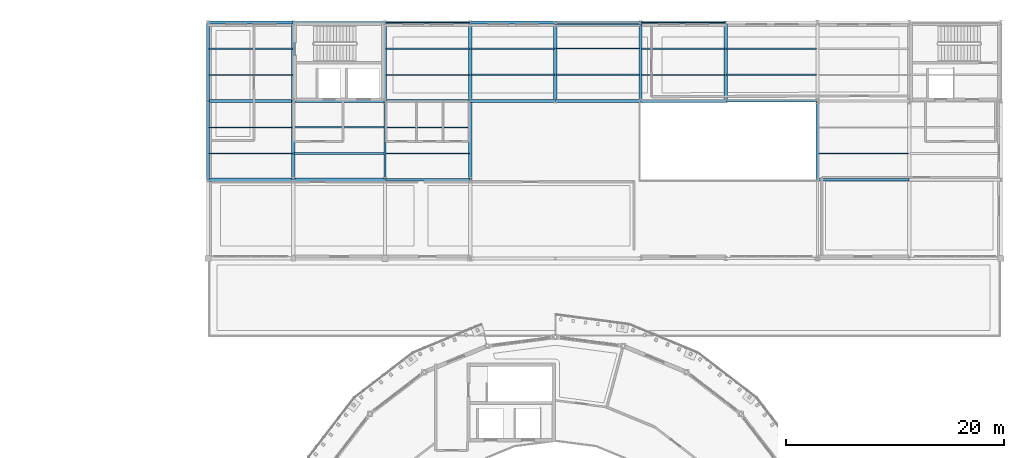
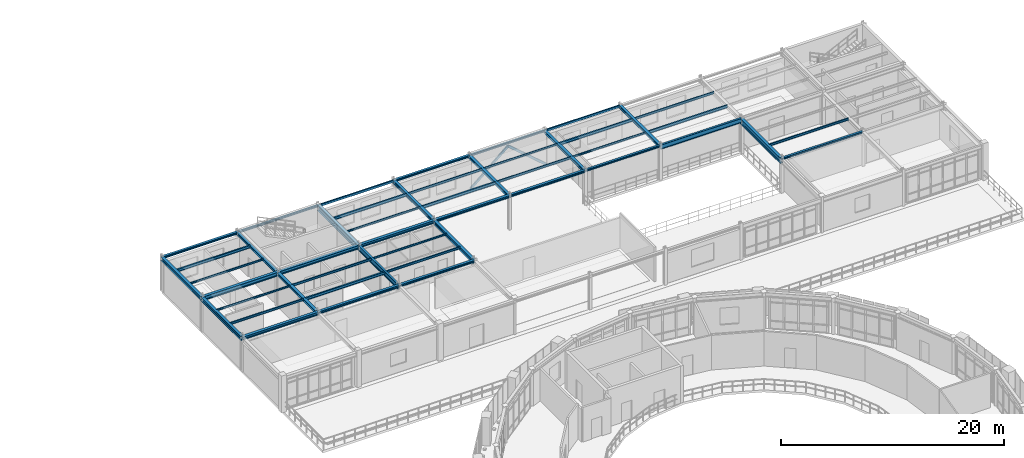
# One storey, part 31 of 58: 48 beams, 2 members.
"""IFC4 building model written with IfcOpenShell, lengths in metres."""

from ifc_helpers import new_model, si_unit, derived_unit, direction, frame, origin, origin_2d, place, context, subcontext, project, spatial, hollow_rectangle, i_section, extrude, material, material_profile, profile_set, type_object, element, save


model = new_model("IFC4")

# Units and contexts
model_context = context("Model", 3, precision=1e-05, world=origin(), true_north=direction((0.0, 1.0)))
body_context = subcontext(model_context, "Body", "Model", "MODEL_VIEW")
ifc_project = project(units=[si_unit("LENGTHUNIT", "METRE"), si_unit("AREAUNIT", "SQUARE_METRE"), si_unit("VOLUMEUNIT", "CUBIC_METRE"), si_unit("PLANEANGLEUNIT", "RADIAN"), si_unit("MASSUNIT", "GRAM", prefix="KILO"), derived_unit("THERMALTRANSMITTANCEUNIT", [(si_unit("POWERUNIT", "WATT"), 1), (si_unit("AREAUNIT", "SQUARE_METRE"), -1), (si_unit("THERMODYNAMICTEMPERATUREUNIT", "KELVIN"), -1)])], contexts=[model_context])

# Site, building, storey
site_placement = place(None, origin())
site = spatial("IfcSite", under=ifc_project, at=site_placement, CompositionType="ELEMENT")
building_placement = place(site_placement, origin())
building = spatial("IfcBuilding", under=site, at=building_placement, Name="Yasenodar Specialist Clinic", CompositionType="ELEMENT")
storey_placement = place(building_placement, frame((0.0, 0.0, 17.25)))
storey = spatial("IfcBuildingStorey", under=building, at=storey_placement, Name="L04", CompositionType="ELEMENT", Elevation=17.25)

# Beams
ifc_material = material(Name="Steel S355", Category="steel")
ifc_material_profile_1 = material_profile(ifc_material, i_section(OverallWidth=0.219970703125, OverallDepth=0.2099609375, WebThickness=0.007080078125, FlangeThickness=0.010986328125, FilletRadius=0.01806640625, at=origin_2d()), Name="HEA 220")
ifc_profile_set_1 = profile_set([ifc_material_profile_1], Name="Steel S355")
beam_type_1 = type_object("IfcBeamType", Name="BM-HEA220", PredefinedType="BEAM", material=ifc_profile_set_1)
beam_1_placement = place(storey_placement, frame((105.0, 97.199951171875, 3.68505859375), z_axis=(1.0, 0.0, 0.0), x_axis=(0.0, 1.0, 0.0)))
element("IfcBeam", 1, at=beam_1_placement, inside=storey, type_object=beam_type_1, Name="L04 Primary E-W Girder", PredefinedType="BEAM", context=body_context, shape_type="SweptSolid", body=[
    extrude(i_section(OverallWidth=0.219970703125, OverallDepth=0.2099609375, WebThickness=0.007080078125, FlangeThickness=0.010986328125, FilletRadius=0.01806640625, at=origin_2d()), origin(), (0.0, 0.0, 1.0), 8.39990234375),
])
beam_2_placement = place(storey_placement, frame((88.800048828125, 104.39990234375, 3.695068359375), z_axis=(1.0, 0.0, 0.0), x_axis=(0.0, 1.0, 0.0)))
element("IfcBeam", 2, at=beam_2_placement, inside=storey, type_object=beam_type_1, Name="L04 Primary E-W Girder", PredefinedType="BEAM", context=body_context, shape_type="SweptSolid", body=[
    extrude(i_section(OverallWidth=0.219970703125, OverallDepth=0.2099609375, WebThickness=0.007080078125, FlangeThickness=0.010986328125, FilletRadius=0.01806640625, at=origin_2d()), origin(), (0.0, 0.0, 1.0), 7.800048828125),
])
ifc_material_profile_2 = material_profile(ifc_material, i_section(OverallWidth=0.260009765625, OverallDepth=0.25, WebThickness=0.007568359375, FlangeThickness=0.012451171875, FilletRadius=0.02392578125, at=origin_2d()), Name="HEA 260")
ifc_profile_set_2 = profile_set([ifc_material_profile_2], Name="Steel S355")
beam_type_2 = type_object("IfcBeamType", Name="BM-HEA260", PredefinedType="BEAM", material=ifc_profile_set_2)
for number, where, z_axis, x_axis, name in (
    (3, (65.39990234375, 97.199951171875, 3.6650390625), (1.0, 0.0, 0.0), (0.0, 1.0, 0.0), "L04 Primary E-W Girder"),
    (4, (81.0, 104.39990234375, 3.675048828125), (1.0, 0.0, 0.0), (0.0, 1.0, 0.0), "L04 Primary E-W Girder"),
):
    element("IfcBeam", number, at=place(storey_placement, frame(where, z_axis=z_axis, x_axis=x_axis)), inside=storey, type_object=beam_type_2, Name=name, PredefinedType="BEAM", context=body_context, shape_type="SweptSolid", body=[
        extrude(i_section(OverallWidth=0.260009765625, OverallDepth=0.25, WebThickness=0.007568359375, FlangeThickness=0.012451171875, FilletRadius=0.02392578125, at=origin_2d()), origin(), (0.0, 0.0, 1.0), 7.800048828125),
    ])
ifc_material_profile_3 = material_profile(ifc_material, i_section(OverallWidth=0.280029296875, OverallDepth=0.27001953125, WebThickness=0.008056640625, FlangeThickness=0.012939453125, FilletRadius=0.02392578125, at=origin_2d()), Name="HEA 280")
ifc_profile_set_3 = profile_set([ifc_material_profile_3], Name="Steel S355")
beam_type_3 = type_object("IfcBeamType", Name="BM-HEA280", PredefinedType="BEAM", material=ifc_profile_set_3)
beam_3_placement = place(storey_placement, frame((57.0, 97.199951171875, 3.655029296875), z_axis=(1.0, 0.0, 0.0), x_axis=(0.0, 1.0, 0.0)))
element("IfcBeam", 5, at=beam_3_placement, inside=storey, type_object=beam_type_3, Name="L04 Primary E-W Girder", PredefinedType="BEAM", context=body_context, shape_type="SweptSolid", body=[
    extrude(i_section(OverallWidth=0.280029296875, OverallDepth=0.27001953125, WebThickness=0.008056640625, FlangeThickness=0.012939453125, FilletRadius=0.02392578125, at=origin_2d()), origin(), (0.0, 0.0, 1.0), 8.39990234375),
])
beam_4_placement = place(storey_placement, frame((73.199951171875, 104.39990234375, 3.6650390625), z_axis=(1.0, 0.0, 0.0), x_axis=(0.0, 1.0, 0.0)))
element("IfcBeam", 6, at=beam_4_placement, inside=storey, type_object=beam_type_3, Name="L04 Primary E-W Girder", PredefinedType="BEAM", context=body_context, shape_type="SweptSolid", body=[
    extrude(i_section(OverallWidth=0.280029296875, OverallDepth=0.27001953125, WebThickness=0.008056640625, FlangeThickness=0.012939453125, FilletRadius=0.02392578125, at=origin_2d()), origin(), (0.0, 0.0, 1.0), 7.800048828125),
])
ifc_material_profile_4 = material_profile(ifc_material, i_section(OverallWidth=0.300048828125, OverallDepth=0.2900390625, WebThickness=0.008544921875, FlangeThickness=0.013916015625, FilletRadius=0.027099609375, at=origin_2d()), Name="HEA 300")
ifc_profile_set_4 = profile_set([ifc_material_profile_4], Name="Steel S355")
beam_type_4 = type_object("IfcBeamType", Name="BM-HEA300", PredefinedType="BEAM", material=ifc_profile_set_4)
beam_5_placement = place(storey_placement, frame((96.60009765625, 104.39990234375, 3.655029296875), z_axis=(0.0, 1.0, 0.0), x_axis=(-1.0, 0.0, 0.0)))
element("IfcBeam", 7, at=beam_5_placement, inside=storey, type_object=beam_type_4, Name="L04 Primary N-S Girder", PredefinedType="BEAM", context=body_context, shape_type="SweptSolid", body=[
    extrude(i_section(OverallWidth=0.300048828125, OverallDepth=0.2900390625, WebThickness=0.008544921875, FlangeThickness=0.013916015625, FilletRadius=0.027099609375, at=origin_2d()), origin(), (0.0, 0.0, 1.0), 7.2001953125),
])
ifc_material_profile_5 = material_profile(ifc_material, i_section(OverallWidth=0.300048828125, OverallDepth=0.330078125, WebThickness=0.009521484375, FlangeThickness=0.0166015625, FilletRadius=0.027099609375, at=origin_2d()), Name="HEA 340")
ifc_profile_set_5 = profile_set([ifc_material_profile_5], Name="Steel S355")
beam_type_5 = type_object("IfcBeamType", Name="BM-HEA340", PredefinedType="BEAM", material=ifc_profile_set_5)
for number, where, z_axis, x_axis, name in (
    (8, (49.199951171875, 97.199951171875, 3.625), (1.0, 0.0, 0.0), (0.0, 1.0, 0.0), "L04 Primary E-W Girder"),
    (9, (65.39990234375, 104.39990234375, 3.635009765625), (1.0, 0.0, 0.0), (0.0, 1.0, 0.0), "L04 Primary E-W Girder"),
):
    element("IfcBeam", number, at=place(storey_placement, frame(where, z_axis=z_axis, x_axis=x_axis)), inside=storey, type_object=beam_type_5, Name=name, PredefinedType="BEAM", context=body_context, shape_type="SweptSolid", body=[
        extrude(i_section(OverallWidth=0.300048828125, OverallDepth=0.330078125, WebThickness=0.009521484375, FlangeThickness=0.0166015625, FilletRadius=0.027099609375, at=origin_2d()), origin(), (0.0, 0.0, 1.0), 7.800048828125),
    ])
ifc_material_profile_6 = material_profile(ifc_material, i_section(OverallWidth=0.300048828125, OverallDepth=0.389892578125, WebThickness=0.010986328125, FlangeThickness=0.01904296875, FilletRadius=0.027099609375, at=origin_2d()), Name="HEA 400")
ifc_profile_set_6 = profile_set([ifc_material_profile_6], Name="Steel S355")
beam_type_6 = type_object("IfcBeamType", Name="BM-HEA400", PredefinedType="BEAM", material=ifc_profile_set_6)
beam_6_placement = place(storey_placement, frame((57.0, 104.39990234375, 3.60498046875), z_axis=(1.0, 0.0, 0.0), x_axis=(0.0, 1.0, 0.0)))
element("IfcBeam", 10, at=beam_6_placement, inside=storey, type_object=beam_type_6, Name="L04 Primary E-W Girder", PredefinedType="BEAM", context=body_context, shape_type="SweptSolid", body=[
    extrude(i_section(OverallWidth=0.300048828125, OverallDepth=0.389892578125, WebThickness=0.010986328125, FlangeThickness=0.01904296875, FilletRadius=0.027099609375, at=origin_2d()), origin(), (0.0, 0.0, 1.0), 8.39990234375),
])
ifc_material_profile_7 = material_profile(ifc_material, i_section(OverallWidth=0.300048828125, OverallDepth=0.43994140625, WebThickness=0.011474609375, FlangeThickness=0.02099609375, FilletRadius=0.027099609375, at=origin_2d()), Name="HEA 450")
ifc_profile_set_7 = profile_set([ifc_material_profile_7], Name="Steel S355")
beam_type_7 = type_object("IfcBeamType", Name="BM-HEA450", PredefinedType="BEAM", material=ifc_profile_set_7)
beam_7_placement = place(storey_placement, frame((49.199951171875, 104.39990234375, 3.580078125), z_axis=(1.0, 0.0, 0.0), x_axis=(0.0, 1.0, 0.0)))
element("IfcBeam", 11, at=beam_7_placement, inside=storey, type_object=beam_type_7, Name="L04 Primary E-W Girder", PredefinedType="BEAM", context=body_context, shape_type="SweptSolid", body=[
    extrude(i_section(OverallWidth=0.300048828125, OverallDepth=0.43994140625, WebThickness=0.011474609375, FlangeThickness=0.02099609375, FilletRadius=0.027099609375, at=origin_2d()), origin(), (0.0, 0.0, 1.0), 7.800048828125),
])
ifc_material_profile_8 = material_profile(ifc_material, i_section(OverallWidth=0.280029296875, OverallDepth=0.280029296875, WebThickness=0.010498046875, FlangeThickness=0.01806640625, FilletRadius=0.02392578125, at=origin_2d()), Name="HEB 280")
ifc_profile_set_8 = profile_set([ifc_material_profile_8], Name="Steel S355")
beam_type_8 = type_object("IfcBeamType", Name="BM-HEB280", PredefinedType="BEAM", material=ifc_profile_set_8)
for number, where, z_axis, x_axis, name in (
    (12, (57.0, 104.39990234375, 3.659912109375), (0.0, 1.0, 0.0), (-1.0, 0.0, 0.0), "L04 Primary N-S Girder"),
    (13, (88.800048828125, 104.39990234375, 3.659912109375), (0.0, 1.0, 0.0), (-1.0, 0.0, 0.0), "L04 Primary N-S Girder"),
):
    element("IfcBeam", number, at=place(storey_placement, frame(where, z_axis=z_axis, x_axis=x_axis)), inside=storey, type_object=beam_type_8, Name=name, PredefinedType="BEAM", context=body_context, shape_type="SweptSolid", body=[
        extrude(i_section(OverallWidth=0.280029296875, OverallDepth=0.280029296875, WebThickness=0.010498046875, FlangeThickness=0.01806640625, FilletRadius=0.02392578125, at=origin_2d()), origin(), (0.0, 0.0, 1.0), 7.2001953125),
    ])
ifc_material_profile_9 = material_profile(ifc_material, i_section(OverallWidth=0.300048828125, OverallDepth=0.300048828125, WebThickness=0.010986328125, FlangeThickness=0.01904296875, FilletRadius=0.027099609375, at=origin_2d()), Name="HEB 300")
ifc_profile_set_9 = profile_set([ifc_material_profile_9], Name="Steel S355")
beam_type_9 = type_object("IfcBeamType", Name="BM-HEB300", PredefinedType="BEAM", material=ifc_profile_set_9)
beam_8_placement = place(storey_placement, frame((57.0, 97.199951171875, 3.639892578125), z_axis=(0.0, 1.0, 0.0), x_axis=(-1.0, 0.0, 0.0)))
element("IfcBeam", 14, at=beam_8_placement, inside=storey, type_object=beam_type_9, Name="L04 Primary N-S Girder", PredefinedType="BEAM", context=body_context, shape_type="SweptSolid", body=[
    extrude(i_section(OverallWidth=0.300048828125, OverallDepth=0.300048828125, WebThickness=0.010986328125, FlangeThickness=0.01904296875, FilletRadius=0.027099609375, at=origin_2d()), origin(), (0.0, 0.0, 1.0), 7.199951171875),
])
beam_9_placement = place(storey_placement, frame((81.0, 104.39990234375, 3.64990234375), z_axis=(0.0, 1.0, 0.0), x_axis=(-1.0, 0.0, 0.0)))
element("IfcBeam", 15, at=beam_9_placement, inside=storey, type_object=beam_type_9, Name="L04 Primary N-S Girder", PredefinedType="BEAM", context=body_context, shape_type="SweptSolid", body=[
    extrude(i_section(OverallWidth=0.300048828125, OverallDepth=0.300048828125, WebThickness=0.010986328125, FlangeThickness=0.01904296875, FilletRadius=0.027099609375, at=origin_2d()), origin(), (0.0, 0.0, 1.0), 7.2001953125),
])
ifc_material_profile_10 = material_profile(ifc_material, i_section(OverallWidth=0.300048828125, OverallDepth=0.340087890625, WebThickness=0.011962890625, FlangeThickness=0.021484375, FilletRadius=0.027099609375, at=origin_2d()), Name="HEB 340")
ifc_profile_set_10 = profile_set([ifc_material_profile_10], Name="Steel S355")
beam_type_10 = type_object("IfcBeamType", Name="BM-HEB340", PredefinedType="BEAM", material=ifc_profile_set_10)
beam_10_placement = place(storey_placement, frame((73.199951171875, 104.39990234375, 3.6298828125), z_axis=(0.0, 1.0, 0.0), x_axis=(-1.0, 0.0, 0.0)))
element("IfcBeam", 16, at=beam_10_placement, inside=storey, type_object=beam_type_10, Name="L04 Primary N-S Girder", PredefinedType="BEAM", context=body_context, shape_type="SweptSolid", body=[
    extrude(i_section(OverallWidth=0.300048828125, OverallDepth=0.340087890625, WebThickness=0.011962890625, FlangeThickness=0.021484375, FilletRadius=0.027099609375, at=origin_2d()), origin(), (0.0, 0.0, 1.0), 7.2001953125),
])
ifc_material_profile_11 = material_profile(ifc_material, i_section(OverallWidth=0.300048828125, OverallDepth=0.39990234375, WebThickness=0.013427734375, FlangeThickness=0.02392578125, FilletRadius=0.027099609375, at=origin_2d()), Name="HEB 400")
ifc_profile_set_11 = profile_set([ifc_material_profile_11], Name="Steel S355")
beam_type_11 = type_object("IfcBeamType", Name="BM-HEB400", PredefinedType="BEAM", material=ifc_profile_set_11)
beam_11_placement = place(storey_placement, frame((49.199951171875, 104.39990234375, 3.60009765625), z_axis=(0.0, 1.0, 0.0), x_axis=(-1.0, 0.0, 0.0)))
element("IfcBeam", 17, at=beam_11_placement, inside=storey, type_object=beam_type_11, Name="L04 Primary N-S Girder", PredefinedType="BEAM", context=body_context, shape_type="SweptSolid", body=[
    extrude(i_section(OverallWidth=0.300048828125, OverallDepth=0.39990234375, WebThickness=0.013427734375, FlangeThickness=0.02392578125, FilletRadius=0.027099609375, at=origin_2d()), origin(), (0.0, 0.0, 1.0), 7.2001953125),
])
beam_12_placement = place(storey_placement, frame((73.199951171875, 97.199951171875, 3.590087890625), z_axis=(0.0, 1.0, 0.0), x_axis=(-1.0, 0.0, 0.0)))
element("IfcBeam", 18, at=beam_12_placement, inside=storey, type_object=beam_type_11, Name="L04 Primary N-S Girder", PredefinedType="BEAM", context=body_context, shape_type="SweptSolid", body=[
    extrude(i_section(OverallWidth=0.300048828125, OverallDepth=0.39990234375, WebThickness=0.013427734375, FlangeThickness=0.02392578125, FilletRadius=0.027099609375, at=origin_2d()), origin(), (0.0, 0.0, 1.0), 7.199951171875),
])
ifc_material_profile_12 = material_profile(ifc_material, i_section(OverallWidth=0.300048828125, OverallDepth=0.449951171875, WebThickness=0.013916015625, FlangeThickness=0.02587890625, FilletRadius=0.027099609375, at=origin_2d()), Name="HEB 450")
ifc_profile_set_12 = profile_set([ifc_material_profile_12], Name="Steel S355")
beam_type_12 = type_object("IfcBeamType", Name="BM-HEB450", PredefinedType="BEAM", material=ifc_profile_set_12)
beam_13_placement = place(storey_placement, frame((49.199951171875, 97.199951171875, 3.56494140625), z_axis=(0.0, 1.0, 0.0), x_axis=(-1.0, 0.0, 0.0)))
element("IfcBeam", 19, at=beam_13_placement, inside=storey, type_object=beam_type_12, Name="L04 Primary N-S Girder", PredefinedType="BEAM", context=body_context, shape_type="SweptSolid", body=[
    extrude(i_section(OverallWidth=0.300048828125, OverallDepth=0.449951171875, WebThickness=0.013916015625, FlangeThickness=0.02587890625, FilletRadius=0.027099609375, at=origin_2d()), origin(), (0.0, 0.0, 1.0), 7.199951171875),
])
ifc_material_profile_13 = material_profile(ifc_material, i_section(OverallWidth=0.300048828125, OverallDepth=0.60009765625, WebThickness=0.015380859375, FlangeThickness=0.030029296875, FilletRadius=0.027099609375, at=origin_2d()), Name="HEB 600")
ifc_profile_set_13 = profile_set([ifc_material_profile_13], Name="Steel S355")
beam_type_13 = type_object("IfcBeamType", Name="BM-HEB600", PredefinedType="BEAM", material=ifc_profile_set_13)
beam_14_placement = place(storey_placement, frame((65.39990234375, 104.39990234375, 3.5), z_axis=(0.0, 1.0, 0.0), x_axis=(-1.0, 0.0, 0.0)))
element("IfcBeam", 20, at=beam_14_placement, inside=storey, type_object=beam_type_13, Name="L04 Primary N-S Girder", PredefinedType="BEAM", context=body_context, shape_type="SweptSolid", body=[
    extrude(i_section(OverallWidth=0.300048828125, OverallDepth=0.60009765625, WebThickness=0.015380859375, FlangeThickness=0.030029296875, FilletRadius=0.027099609375, at=origin_2d()), origin(), (0.0, 0.0, 1.0), 7.2001953125),
])
beam_15_placement = place(storey_placement, frame((105.0, 97.199951171875, 3.489990234375), z_axis=(0.0, 1.0, 0.0), x_axis=(-1.0, 0.0, 0.0)))
element("IfcBeam", 21, at=beam_15_placement, inside=storey, type_object=beam_type_13, Name="L04 Primary N-S Girder", PredefinedType="BEAM", context=body_context, shape_type="SweptSolid", body=[
    extrude(i_section(OverallWidth=0.300048828125, OverallDepth=0.60009765625, WebThickness=0.015380859375, FlangeThickness=0.030029296875, FilletRadius=0.027099609375, at=origin_2d()), origin(), (0.0, 0.0, 1.0), 7.199951171875),
])
ifc_material_profile_14 = material_profile(ifc_material, i_section(OverallWidth=0.199951171875, OverallDepth=0.5, WebThickness=0.01025390625, FlangeThickness=0.01611328125, FilletRadius=0.02099609375, at=origin_2d()), Name="IPE 500")
ifc_profile_set_14 = profile_set([ifc_material_profile_14], Name="Steel S355")
beam_type_14 = type_object("IfcBeamType", Name="BM-IPE500", PredefinedType="BEAM", material=ifc_profile_set_14)
beam_16_placement = place(storey_placement, frame((96.60009765625, 104.39990234375, 3.550048828125), z_axis=(1.0, 0.0, 0.0), x_axis=(0.0, 1.0, 0.0)))
element("IfcBeam", 22, at=beam_16_placement, inside=storey, type_object=beam_type_14, Name="L04 Primary E-W Girder", PredefinedType="BEAM", context=body_context, shape_type="SweptSolid", body=[
    extrude(i_section(OverallWidth=0.199951171875, OverallDepth=0.5, WebThickness=0.01025390625, FlangeThickness=0.01611328125, FilletRadius=0.02099609375, at=origin_2d()), origin(), (0.0, 0.0, 1.0), 8.39990234375),
])
ifc_material_profile_15 = material_profile(ifc_material, i_section(OverallWidth=0.2099609375, OverallDepth=0.550048828125, WebThickness=0.010986328125, FlangeThickness=0.01708984375, FilletRadius=0.02392578125, at=origin_2d()), Name="IPE 550")
ifc_profile_set_15 = profile_set([ifc_material_profile_15], Name="Steel S355")
beam_type_15 = type_object("IfcBeamType", Name="BM-IPE550", PredefinedType="BEAM", material=ifc_profile_set_15)
beam_17_placement = place(storey_placement, frame((65.39990234375, 97.199951171875, 3.514892578125), z_axis=(0.0, 1.0, 0.0), x_axis=(-1.0, 0.0, 0.0)))
element("IfcBeam", 23, at=beam_17_placement, inside=storey, type_object=beam_type_15, Name="L04 Primary N-S Girder", PredefinedType="BEAM", context=body_context, shape_type="SweptSolid", body=[
    extrude(i_section(OverallWidth=0.2099609375, OverallDepth=0.550048828125, WebThickness=0.010986328125, FlangeThickness=0.01708984375, FilletRadius=0.02392578125, at=origin_2d()), origin(), (0.0, 0.0, 1.0), 7.199951171875),
])

# Members
ifc_material_profile_16 = material_profile(ifc_material, hollow_rectangle(XDim=0.14990234375, YDim=0.25, WallThickness=0.010009765625, InnerFilletRadius=0.014892578125, OuterFilletRadius=0.02490234375, at=origin_2d()), Name="RHS 250x150x10")
ifc_profile_set_16 = profile_set([ifc_material_profile_16], Name="Steel S355")
member_type = type_object("IfcMemberType", Name="BR-LAT-RHS250", PredefinedType="BRACE", material=ifc_profile_set_16)
for number, where, z_axis, x_axis, name in (
    (24, (81.0, 111.425048828125, 0.14990234375), (0.758552238015, 0.0, 0.651612233006), (0.0, 1.0, 0.0), "L04 Lateral Chevron Brace 08A"),
    (25, (88.800048828125, 111.425048828125, 0.14990234375), (-0.758572399699, 0.0, 0.651588761732), (0.0, -1.0, 0.0), "L04 Lateral Chevron Brace 08B"),
):
    element("IfcMember", number, at=place(storey_placement, frame(where, z_axis=z_axis, x_axis=x_axis)), inside=storey, type_object=member_type, Name=name, PredefinedType="BRACE", context=body_context, shape_type="SweptSolid", body=[
        extrude(hollow_rectangle(XDim=0.14990234375, YDim=0.25, WallThickness=0.010009765625, InnerFilletRadius=0.014892578125, OuterFilletRadius=0.02490234375, at=origin_2d()), origin(), (0.0, 0.0, 1.0), 5.141357421875),
    ])

# Beams
ifc_material_profile_17 = material_profile(ifc_material, i_section(OverallWidth=0.10009765625, OverallDepth=0.199951171875, WebThickness=0.005615234375, FlangeThickness=0.008544921875, FilletRadius=0.011962890625, at=origin_2d()), Name="IPE 200")
ifc_profile_set_17 = profile_set([ifc_material_profile_17], Name="Steel S355")
beam_type_16 = type_object("IfcBeamType", Name="JS-IPE200", PredefinedType="JOIST", material=ifc_profile_set_17)
for number, where, z_axis, x_axis, name in (
    (26, (49.280029296875, 102.0, 3.699951171875), (1.0, 0.0, 0.0), (0.0, 1.0, 0.0), "L04 Composite Floor Joist"),
    (27, (49.280029296875, 106.800048828125, 3.699951171875), (1.0, 0.0, 0.0), (0.0, 1.0, 0.0), "L04 Composite Floor Joist"),
):
    element("IfcBeam", number, at=place(storey_placement, frame(where, z_axis=z_axis, x_axis=x_axis)), inside=storey, type_object=beam_type_16, Name=name, PredefinedType="JOIST", context=body_context, shape_type="SweptSolid", body=[
        extrude(i_section(OverallWidth=0.10009765625, OverallDepth=0.199951171875, WebThickness=0.005615234375, FlangeThickness=0.008544921875, FilletRadius=0.011962890625, at=origin_2d()), origin(), (0.0, 0.0, 1.0), 7.639892578125),
    ])
for number, where, z_axis, x_axis, name in (
    (28, (65.47998046875, 102.0, 3.699951171875), (1.0, 0.0, 0.0), (0.0, 1.0, 0.0), "L04 Composite Floor Joist"),
    (29, (65.47998046875, 106.800048828125, 3.699951171875), (1.0, 0.0, 0.0), (0.0, 1.0, 0.0), "L04 Composite Floor Joist"),
):
    element("IfcBeam", number, at=place(storey_placement, frame(where, z_axis=z_axis, x_axis=x_axis)), inside=storey, type_object=beam_type_16, Name=name, PredefinedType="JOIST", context=body_context, shape_type="SweptSolid", body=[
        extrude(i_section(OverallWidth=0.10009765625, OverallDepth=0.199951171875, WebThickness=0.005615234375, FlangeThickness=0.008544921875, FilletRadius=0.011962890625, at=origin_2d()), origin(), (0.0, 0.0, 1.0), 7.64013671875),
    ])
beam_18_placement = place(storey_placement, frame((81.080078125, 109.199951171875, 3.699951171875), z_axis=(1.0, 0.0, 0.0), x_axis=(0.0, 1.0, 0.0)))
element("IfcBeam", 30, at=beam_18_placement, inside=storey, type_object=beam_type_16, Name="L04 Composite Floor Joist", PredefinedType="JOIST", context=body_context, shape_type="SweptSolid", body=[
    extrude(i_section(OverallWidth=0.10009765625, OverallDepth=0.199951171875, WebThickness=0.005615234375, FlangeThickness=0.008544921875, FilletRadius=0.011962890625, at=origin_2d()), origin(), (0.0, 0.0, 1.0), 7.639892578125),
])
beam_19_placement = place(storey_placement, frame((88.8798828125, 106.800048828125, 3.699951171875), z_axis=(1.0, 0.0, 0.0), x_axis=(0.0, 1.0, 0.0)))
element("IfcBeam", 31, at=beam_19_placement, inside=storey, type_object=beam_type_16, Name="L04 Composite Floor Joist", PredefinedType="JOIST", context=body_context, shape_type="SweptSolid", body=[
    extrude(i_section(OverallWidth=0.10009765625, OverallDepth=0.199951171875, WebThickness=0.005615234375, FlangeThickness=0.008544921875, FilletRadius=0.011962890625, at=origin_2d()), origin(), (0.0, 0.0, 1.0), 7.64013671875),
])
ifc_material_profile_18 = material_profile(ifc_material, i_section(OverallWidth=0.1201171875, OverallDepth=0.239990234375, WebThickness=0.006103515625, FlangeThickness=0.009765625, FilletRadius=0.014892578125, at=origin_2d()), Name="IPE 240")
ifc_profile_set_18 = profile_set([ifc_material_profile_18], Name="Steel S355")
beam_type_17 = type_object("IfcBeamType", Name="JS-IPE240", PredefinedType="JOIST", material=ifc_profile_set_18)
beam_20_placement = place(storey_placement, frame((49.280029296875, 99.60009765625, 3.679931640625), z_axis=(1.0, 0.0, 0.0), x_axis=(0.0, 1.0, 0.0)))
element("IfcBeam", 32, at=beam_20_placement, inside=storey, type_object=beam_type_17, Name="L04 Composite Floor Joist", PredefinedType="JOIST", context=body_context, shape_type="SweptSolid", body=[
    extrude(i_section(OverallWidth=0.1201171875, OverallDepth=0.239990234375, WebThickness=0.006103515625, FlangeThickness=0.009765625, FilletRadius=0.014892578125, at=origin_2d()), origin(), (0.0, 0.0, 1.0), 7.639892578125),
])
beam_21_placement = place(storey_placement, frame((57.080078125, 102.0, 3.679931640625), z_axis=(1.0, 0.0, 0.0), x_axis=(0.0, 1.0, 0.0)))
element("IfcBeam", 33, at=beam_21_placement, inside=storey, type_object=beam_type_17, Name="L04 Composite Floor Joist", PredefinedType="JOIST", context=body_context, shape_type="SweptSolid", body=[
    extrude(i_section(OverallWidth=0.1201171875, OverallDepth=0.239990234375, WebThickness=0.006103515625, FlangeThickness=0.009765625, FilletRadius=0.014892578125, at=origin_2d()), origin(), (0.0, 0.0, 1.0), 8.239990234375),
])
beam_22_placement = place(storey_placement, frame((65.47998046875, 99.60009765625, 3.679931640625), z_axis=(1.0, 0.0, 0.0), x_axis=(0.0, 1.0, 0.0)))
element("IfcBeam", 34, at=beam_22_placement, inside=storey, type_object=beam_type_17, Name="L04 Composite Floor Joist", PredefinedType="JOIST", context=body_context, shape_type="SweptSolid", body=[
    extrude(i_section(OverallWidth=0.1201171875, OverallDepth=0.239990234375, WebThickness=0.006103515625, FlangeThickness=0.009765625, FilletRadius=0.014892578125, at=origin_2d()), origin(), (0.0, 0.0, 1.0), 7.64013671875),
])
for number, where, z_axis, x_axis, name in (
    (35, (73.280029296875, 109.199951171875, 3.679931640625), (1.0, 0.0, 0.0), (0.0, 1.0, 0.0), "L04 Composite Floor Joist"),
    (36, (81.080078125, 106.800048828125, 3.679931640625), (1.0, 0.0, 0.0), (0.0, 1.0, 0.0), "L04 Composite Floor Joist"),
):
    element("IfcBeam", number, at=place(storey_placement, frame(where, z_axis=z_axis, x_axis=x_axis)), inside=storey, type_object=beam_type_17, Name=name, PredefinedType="JOIST", context=body_context, shape_type="SweptSolid", body=[
        extrude(i_section(OverallWidth=0.1201171875, OverallDepth=0.239990234375, WebThickness=0.006103515625, FlangeThickness=0.009765625, FilletRadius=0.014892578125, at=origin_2d()), origin(), (0.0, 0.0, 1.0), 7.639892578125),
    ])
for number, where, z_axis, x_axis, name in (
    (37, (96.679931640625, 109.199951171875, 3.679931640625), (1.0, 0.0, 0.0), (0.0, 1.0, 0.0), "L04 Composite Floor Joist"),
    (38, (105.080078125, 99.60009765625, 3.679931640625), (1.0, 0.0, 0.0), (0.0, 1.0, 0.0), "L04 Composite Floor Joist"),
):
    element("IfcBeam", number, at=place(storey_placement, frame(where, z_axis=z_axis, x_axis=x_axis)), inside=storey, type_object=beam_type_17, Name=name, PredefinedType="JOIST", context=body_context, shape_type="SweptSolid", body=[
        extrude(i_section(OverallWidth=0.1201171875, OverallDepth=0.239990234375, WebThickness=0.006103515625, FlangeThickness=0.009765625, FilletRadius=0.014892578125, at=origin_2d()), origin(), (0.0, 0.0, 1.0), 8.239990234375),
    ])
ifc_material_profile_19 = material_profile(ifc_material, i_section(OverallWidth=0.14990234375, OverallDepth=0.300048828125, WebThickness=0.007080078125, FlangeThickness=0.0107421875, FilletRadius=0.014892578125, at=origin_2d()), Name="IPE 300")
ifc_profile_set_19 = profile_set([ifc_material_profile_19], Name="Steel S355")
beam_type_18 = type_object("IfcBeamType", Name="JS-IPE300", PredefinedType="JOIST", material=ifc_profile_set_19)
beam_23_placement = place(storey_placement, frame((49.280029296875, 109.199951171875, 3.64990234375), z_axis=(1.0, 0.0, 0.0), x_axis=(0.0, 1.0, 0.0)))
element("IfcBeam", 39, at=beam_23_placement, inside=storey, type_object=beam_type_18, Name="L04 Composite Floor Joist", PredefinedType="JOIST", context=body_context, shape_type="SweptSolid", body=[
    extrude(i_section(OverallWidth=0.14990234375, OverallDepth=0.300048828125, WebThickness=0.007080078125, FlangeThickness=0.0107421875, FilletRadius=0.014892578125, at=origin_2d()), origin(), (0.0, 0.0, 1.0), 7.639892578125),
])
beam_24_placement = place(storey_placement, frame((57.080078125, 99.60009765625, 3.64990234375), z_axis=(1.0, 0.0, 0.0), x_axis=(0.0, 1.0, 0.0)))
element("IfcBeam", 40, at=beam_24_placement, inside=storey, type_object=beam_type_18, Name="L04 Composite Floor Joist", PredefinedType="JOIST", context=body_context, shape_type="SweptSolid", body=[
    extrude(i_section(OverallWidth=0.14990234375, OverallDepth=0.300048828125, WebThickness=0.007080078125, FlangeThickness=0.0107421875, FilletRadius=0.014892578125, at=origin_2d()), origin(), (0.0, 0.0, 1.0), 8.239990234375),
])
beam_25_placement = place(storey_placement, frame((65.47998046875, 109.199951171875, 3.64990234375), z_axis=(1.0, 0.0, 0.0), x_axis=(0.0, 1.0, 0.0)))
element("IfcBeam", 41, at=beam_25_placement, inside=storey, type_object=beam_type_18, Name="L04 Composite Floor Joist", PredefinedType="JOIST", context=body_context, shape_type="SweptSolid", body=[
    extrude(i_section(OverallWidth=0.14990234375, OverallDepth=0.300048828125, WebThickness=0.007080078125, FlangeThickness=0.0107421875, FilletRadius=0.014892578125, at=origin_2d()), origin(), (0.0, 0.0, 1.0), 7.64013671875),
])
beam_26_placement = place(storey_placement, frame((73.280029296875, 106.800048828125, 3.64990234375), z_axis=(1.0, 0.0, 0.0), x_axis=(0.0, 1.0, 0.0)))
element("IfcBeam", 42, at=beam_26_placement, inside=storey, type_object=beam_type_18, Name="L04 Composite Floor Joist", PredefinedType="JOIST", context=body_context, shape_type="SweptSolid", body=[
    extrude(i_section(OverallWidth=0.14990234375, OverallDepth=0.300048828125, WebThickness=0.007080078125, FlangeThickness=0.0107421875, FilletRadius=0.014892578125, at=origin_2d()), origin(), (0.0, 0.0, 1.0), 7.639892578125),
])
beam_27_placement = place(storey_placement, frame((88.8798828125, 109.199951171875, 3.64990234375), z_axis=(1.0, 0.0, 0.0), x_axis=(0.0, 1.0, 0.0)))
element("IfcBeam", 43, at=beam_27_placement, inside=storey, type_object=beam_type_18, Name="L04 Composite Floor Joist", PredefinedType="JOIST", context=body_context, shape_type="SweptSolid", body=[
    extrude(i_section(OverallWidth=0.14990234375, OverallDepth=0.300048828125, WebThickness=0.007080078125, FlangeThickness=0.0107421875, FilletRadius=0.014892578125, at=origin_2d()), origin(), (0.0, 0.0, 1.0), 7.64013671875),
])
beam_28_placement = place(storey_placement, frame((96.679931640625, 106.800048828125, 3.64990234375), z_axis=(1.0, 0.0, 0.0), x_axis=(0.0, 1.0, 0.0)))
element("IfcBeam", 44, at=beam_28_placement, inside=storey, type_object=beam_type_18, Name="L04 Composite Floor Joist", PredefinedType="JOIST", context=body_context, shape_type="SweptSolid", body=[
    extrude(i_section(OverallWidth=0.14990234375, OverallDepth=0.300048828125, WebThickness=0.007080078125, FlangeThickness=0.0107421875, FilletRadius=0.014892578125, at=origin_2d()), origin(), (0.0, 0.0, 1.0), 8.239990234375),
])
ifc_material_profile_20 = material_profile(ifc_material, i_section(OverallWidth=0.199951171875, OverallDepth=0.18994140625, WebThickness=0.006591796875, FlangeThickness=0.010009765625, FilletRadius=0.01806640625, at=origin_2d()), Name="HEA 200")
ifc_profile_set_20 = profile_set([ifc_material_profile_20], Name="Steel S355")
beam_type_19 = type_object("IfcBeamType", Name="SP-HEA200", PredefinedType="SPANDREL", material=ifc_profile_set_20)
beam_29_placement = place(storey_placement, frame((57.0, 111.60009765625, 3.705078125), z_axis=(1.0, 0.0, 0.0), x_axis=(0.0, 1.0, 0.0)))
element("IfcBeam", 45, at=beam_29_placement, inside=storey, type_object=beam_type_19, Name="L04 Perimeter Spandrel Beam", PredefinedType="SPANDREL", context=body_context, shape_type="SweptSolid", body=[
    extrude(i_section(OverallWidth=0.199951171875, OverallDepth=0.18994140625, WebThickness=0.006591796875, FlangeThickness=0.010009765625, FilletRadius=0.01806640625, at=origin_2d()), origin(), (0.0, 0.0, 1.0), 8.39990234375),
])
beam_30_placement = place(storey_placement, frame((81.0, 111.60009765625, 3.705078125), z_axis=(1.0, 0.0, 0.0), x_axis=(0.0, 1.0, 0.0)))
element("IfcBeam", 46, at=beam_30_placement, inside=storey, type_object=beam_type_19, Name="L04 Perimeter Spandrel Beam", PredefinedType="SPANDREL", context=body_context, shape_type="SweptSolid", body=[
    extrude(i_section(OverallWidth=0.199951171875, OverallDepth=0.18994140625, WebThickness=0.006591796875, FlangeThickness=0.010009765625, FilletRadius=0.01806640625, at=origin_2d()), origin(), (0.0, 0.0, 1.0), 7.800048828125),
])
ifc_material_profile_21 = material_profile(ifc_material, i_section(OverallWidth=0.239990234375, OverallDepth=0.22998046875, WebThickness=0.007568359375, FlangeThickness=0.011962890625, FilletRadius=0.02099609375, at=origin_2d()), Name="HEA 240")
ifc_profile_set_21 = profile_set([ifc_material_profile_21], Name="Steel S355")
beam_type_20 = type_object("IfcBeamType", Name="SP-HEA240", PredefinedType="SPANDREL", material=ifc_profile_set_21)
for number, where, z_axis, x_axis, name in (
    (47, (49.199951171875, 111.60009765625, 3.68505859375), (1.0, 0.0, 0.0), (0.0, 1.0, 0.0), "L04 Perimeter Spandrel Beam"),
    (48, (73.199951171875, 111.60009765625, 3.68505859375), (1.0, 0.0, 0.0), (0.0, 1.0, 0.0), "L04 Perimeter Spandrel Beam"),
):
    element("IfcBeam", number, at=place(storey_placement, frame(where, z_axis=z_axis, x_axis=x_axis)), inside=storey, type_object=beam_type_20, Name=name, PredefinedType="SPANDREL", context=body_context, shape_type="SweptSolid", body=[
        extrude(i_section(OverallWidth=0.239990234375, OverallDepth=0.22998046875, WebThickness=0.007568359375, FlangeThickness=0.011962890625, FilletRadius=0.02099609375, at=origin_2d()), origin(), (0.0, 0.0, 1.0), 7.800048828125),
    ])
ifc_material_profile_22 = material_profile(ifc_material, hollow_rectangle(XDim=0.14990234375, YDim=0.25, WallThickness=0.010009765625, InnerFilletRadius=0.014892578125, OuterFilletRadius=0.02490234375, at=origin_2d()), Name="RHS 250x150x10")
ifc_profile_set_22 = profile_set([ifc_material_profile_22], Name="Steel S355")
beam_type_21 = type_object("IfcBeamType", Name="SP-RHS250", PredefinedType="SPANDREL", material=ifc_profile_set_22)
for number, where, z_axis, x_axis, name in (
    (49, (65.39990234375, 111.60009765625, 3.675048828125), (1.0, 0.0, 0.0), (0.0, 1.0, 0.0), "L04 Perimeter Spandrel Beam"),
    (50, (88.800048828125, 111.60009765625, 3.675048828125), (1.0, 0.0, 0.0), (0.0, 1.0, 0.0), "L04 Perimeter Spandrel Beam"),
):
    element("IfcBeam", number, at=place(storey_placement, frame(where, z_axis=z_axis, x_axis=x_axis)), inside=storey, type_object=beam_type_21, Name=name, PredefinedType="SPANDREL", context=body_context, shape_type="SweptSolid", body=[
        extrude(hollow_rectangle(XDim=0.14990234375, YDim=0.25, WallThickness=0.010009765625, InnerFilletRadius=0.014892578125, OuterFilletRadius=0.02490234375, at=origin_2d()), origin(), (0.0, 0.0, 1.0), 7.800048828125),
    ])

save(model, "model.ifc")
